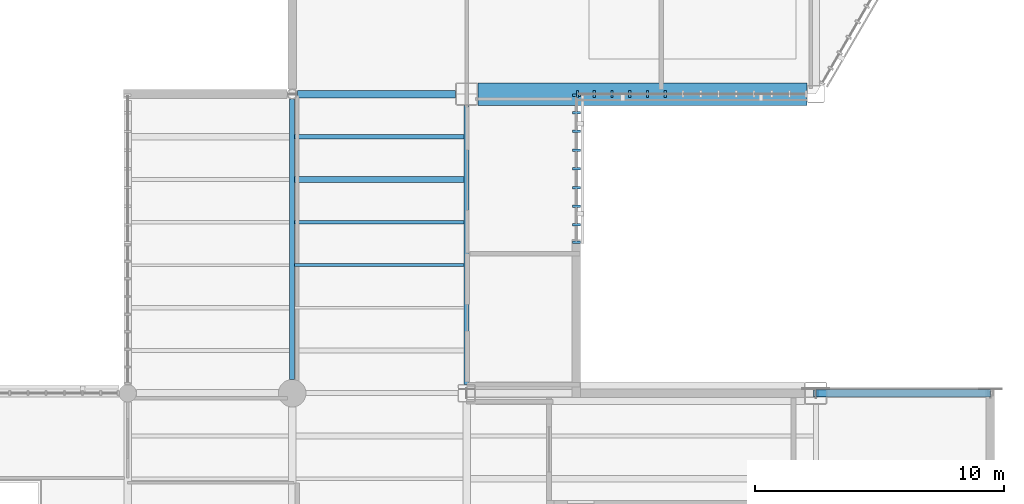
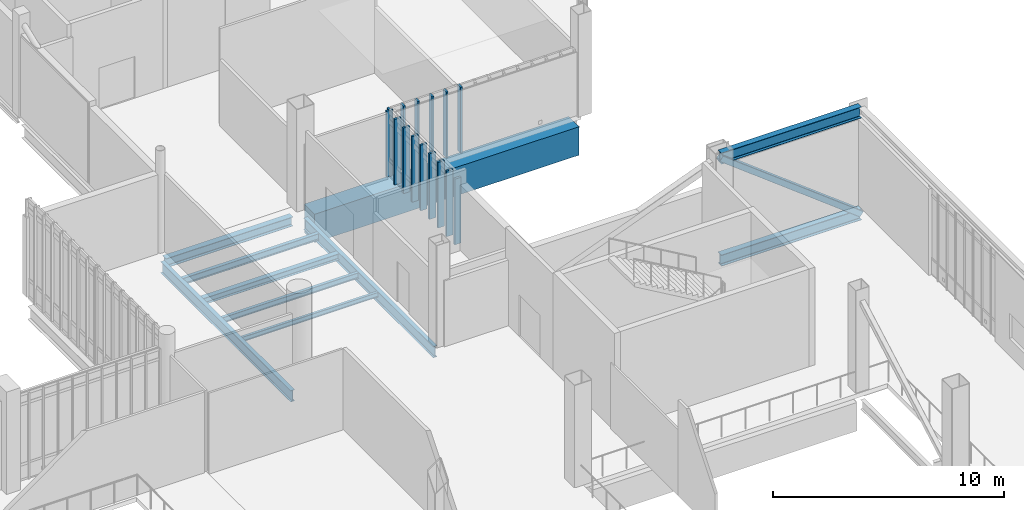
# One storey, part 30 of 127: 16 members, 10 beams, 2 elements without a shape of their own.
"""IFC4 building model written with IfcOpenShell, lengths in metres."""

from ifc_helpers import new_model, si_unit, direction, frame, origin, origin_2d, place, context, subcontext, project, spatial, rectangle, hollow_rectangle, i_section, extrude, material, material_profile, profile_set, type_object, element, aggregate, save


model = new_model("IFC4")

# Units and contexts
model_context = context("Model", 3, precision=1e-05, world=origin(), true_north=direction((0.0, 1.0)))
body_context = subcontext(model_context, "Body", "Model", "MODEL_VIEW")
ifc_project = project(units=[si_unit("LENGTHUNIT", "METRE"), si_unit("AREAUNIT", "SQUARE_METRE"), si_unit("VOLUMEUNIT", "CUBIC_METRE"), si_unit("PLANEANGLEUNIT", "RADIAN"), si_unit("MASSUNIT", "GRAM", prefix="KILO")], contexts=[model_context])

# Site, building, storey
site_placement = place(None, origin())
site = spatial("IfcSite", under=ifc_project, at=site_placement, CompositionType="ELEMENT")
building_placement = place(site_placement, origin())
building = spatial("IfcBuilding", under=site, at=building_placement, Name="Larkvane Passage Sports Hall", CompositionType="ELEMENT")
storey_placement = place(building_placement, frame((0.0, 0.0, 5.39990234375)))
storey = spatial("IfcBuildingStorey", under=building, at=storey_placement, Name="L01", CompositionType="ELEMENT", Elevation=5.39990234375)

# Beams
ifc_material_1 = material(Name="Steel S355JR", Category="steel")
ifc_material_profile_1 = material_profile(ifc_material_1, i_section(OverallWidth=0.300048828125, OverallDepth=0.488037109375, WebThickness=0.010986328125, FlangeThickness=0.01806640625, FilletRadius=0.02197265625, at=origin_2d()), Name="H-488x300x11x18")
ifc_profile_set_1 = profile_set([ifc_material_profile_1], Name="Steel S355JR")
beam_type_1 = type_object("IfcBeamType", Name="BM-STL-H488", PredefinedType="BEAM", material=ifc_profile_set_1)
beam_1_placement = place(storey_placement, frame((124.80322265625, 63.60009765625, -0.663818359375), z_axis=(1.0, 0.0, 0.0), x_axis=(0.0, 1.0, 0.0)))
element("IfcBeam", 1, at=beam_1_placement, inside=storey, type_object=beam_type_1, Name="Girder BM5-X-L01-H-0420", PredefinedType="BEAM", context=body_context, shape_type="SweptSolid", body=[
    extrude(i_section(OverallWidth=0.300048828125, OverallDepth=0.488037109375, WebThickness=0.010986328125, FlangeThickness=0.01806640625, FilletRadius=0.02197265625, at=origin_2d()), origin(), (0.0, 0.0, 1.0), 6.3466796875),
])
ifc_material_2 = material(Name="Steel S460N", Category="steel")
ifc_material_profile_2 = material_profile(ifc_material_2, i_section(OverallWidth=0.300048828125, OverallDepth=0.587890625, WebThickness=0.011962890625, FlangeThickness=0.02001953125, FilletRadius=0.02197265625, at=origin_2d()), Name="H-588x300x12x20")
ifc_profile_set_2 = profile_set([ifc_material_profile_2], Name="Steel S460N")
beam_type_2 = type_object("IfcBeamType", Name="BM-STL-H588", PredefinedType="BEAM", material=ifc_profile_set_2)
for number, where, z_axis, x_axis, name in (
    (2, (145.60009765625, 51.60009765625, -0.52392578125), (1.0, 0.0, 0.0), (0.0, 1.0, 0.0), "Cantilever truss CT-E1A-2 bottom chord 2"),
    (3, (145.60009765625, 51.60009765625, 4.856201171875), (1.0, 0.0, 0.0), (0.0, 1.0, 0.0), "Cantilever truss CT-E1A-2 top chord 2"),
):
    element("IfcBeam", number, at=place(storey_placement, frame(where, z_axis=z_axis, x_axis=x_axis)), inside=storey, type_object=beam_type_2, Name=name, PredefinedType="BEAM", context=body_context, shape_type="SweptSolid", body=[
        extrude(i_section(OverallWidth=0.300048828125, OverallDepth=0.587890625, WebThickness=0.011962890625, FlangeThickness=0.02001953125, FilletRadius=0.02197265625, at=origin_2d()), origin(), (0.0, 0.0, 1.0), 7.0),
    ])
ifc_material_profile_3 = material_profile(ifc_material_1, i_section(OverallWidth=0.199951171875, OverallDepth=0.60009765625, WebThickness=0.010986328125, FlangeThickness=0.01708984375, FilletRadius=0.01806640625, at=origin_2d()), Name="H-600x200x11x17")
ifc_profile_set_3 = profile_set([ifc_material_profile_3], Name="Steel S355JR")
beam_type_3 = type_object("IfcBeamType", Name="BM-STL-H600", PredefinedType="BEAM", material=ifc_profile_set_3)
beam_2_placement = place(storey_placement, frame((124.60009765625, 52.14990234375, -0.719970703125), z_axis=(0.0, 1.0, 0.0), x_axis=(-1.0, 0.0, 0.0)))
element("IfcBeam", 4, at=beam_2_placement, inside=storey, type_object=beam_type_3, Name="Girder BM5-Y-L01-17-0493", PredefinedType="BEAM", context=body_context, shape_type="SweptSolid", body=[
    extrude(i_section(OverallWidth=0.199951171875, OverallDepth=0.60009765625, WebThickness=0.010986328125, FlangeThickness=0.01708984375, FilletRadius=0.01806640625, at=origin_2d()), origin(), (0.0, 0.0, 1.0), 11.246826171875),
])
beam_3_placement = place(storey_placement, frame((131.60009765625, 51.949951171875, -0.719970703125), z_axis=(0.0, 1.0, 0.0), x_axis=(-1.0, 0.0, 0.0)))
element("IfcBeam", 5, at=beam_3_placement, inside=storey, type_object=beam_type_3, Name="Girder BM5-Y-L01-18-0501", PredefinedType="BEAM", context=body_context, shape_type="SweptSolid", body=[
    extrude(i_section(OverallWidth=0.199951171875, OverallDepth=0.60009765625, WebThickness=0.010986328125, FlangeThickness=0.01708984375, FilletRadius=0.01806640625, at=origin_2d()), origin(), (0.0, 0.0, 1.0), 11.199951171875),
])

# Curtain wall, members
ifc_material_3 = material(Name="Thermally broken aluminium and low-E glazing", Category="aluminium")
curtain_wall_type_1 = type_object("IfcCurtainWallType", Name="CW-CLINIC", PredefinedType="USERDEFINED", material=ifc_material_3)
curtain_wall_1_placement = place(storey_placement, origin())
curtain_wall_1 = element("IfcCurtainWall", 6, at=curtain_wall_1_placement, inside=storey, type_object=curtain_wall_type_1, Name="Curtain wall CW5-L01-059", ObjectType="UNITISED CURTAIN WALL", PredefinedType="USERDEFINED")
ifc_material_4 = material(Name="Anodised aluminium 6063-T6", Category="aluminium")
ifc_material_profile_4 = material_profile(ifc_material_4, rectangle(XDim=0.10009765625, YDim=0.320068359375, at=origin_2d()), Name="ALU-MUL-100x320")
ifc_profile_set_4 = profile_set([ifc_material_profile_4], Name="Anodised aluminium 6063-T6")
member_type_1 = type_object("IfcMemberType", Name="CW-MUL-100x320", PredefinedType="MULLION", material=ifc_profile_set_4)
member_1_placement = place(storey_placement, frame((136.0, 63.550048828125, 0.0), z_axis=(0.0, 0.0, 1.0), x_axis=(0.0, -1.0, 0.0)))
member_1 = element("IfcMember", 7, at=member_1_placement, type_object=member_type_1, Name="CW-05 mullion 1", PredefinedType="MULLION", context=body_context, shape_type="SweptSolid", body=[
    extrude(rectangle(XDim=0.10009765625, YDim=0.320068359375, at=origin_2d()), origin(), (0.0, 0.0, 1.0), 3.468017578125),
])
member_2_placement = place(storey_placement, frame((136.0, 62.85009765625, 0.0), z_axis=(0.0, 0.0, 1.0), x_axis=(0.0, -1.0, 0.0)))
member_2 = element("IfcMember", 8, at=member_2_placement, type_object=member_type_1, Name="CW-05 mullion 2", PredefinedType="MULLION", context=body_context, shape_type="SweptSolid", body=[
    extrude(rectangle(XDim=0.10009765625, YDim=0.320068359375, at=origin_2d()), origin(), (0.0, 0.0, 1.0), 3.468017578125),
])
member_3_placement = place(storey_placement, frame((136.0, 62.10009765625, 0.0), z_axis=(0.0, 0.0, 1.0), x_axis=(0.0, -1.0, 0.0)))
member_3 = element("IfcMember", 9, at=member_3_placement, type_object=member_type_1, Name="CW-05 mullion 3", PredefinedType="MULLION", context=body_context, shape_type="SweptSolid", body=[
    extrude(rectangle(XDim=0.10009765625, YDim=0.320068359375, at=origin_2d()), origin(), (0.0, 0.0, 1.0), 3.468017578125),
])
member_4_placement = place(storey_placement, frame((136.0, 61.35009765625, 0.0), z_axis=(0.0, 0.0, 1.0), x_axis=(0.0, -1.0, 0.0)))
member_4 = element("IfcMember", 10, at=member_4_placement, type_object=member_type_1, Name="CW-05 mullion 4", PredefinedType="MULLION", context=body_context, shape_type="SweptSolid", body=[
    extrude(rectangle(XDim=0.10009765625, YDim=0.320068359375, at=origin_2d()), origin(), (0.0, 0.0, 1.0), 3.468017578125),
])
member_5_placement = place(storey_placement, frame((136.0, 60.60009765625, 0.0), z_axis=(0.0, 0.0, 1.0), x_axis=(0.0, -1.0, 0.0)))
member_5 = element("IfcMember", 11, at=member_5_placement, type_object=member_type_1, Name="CW-05 mullion 5", PredefinedType="MULLION", context=body_context, shape_type="SweptSolid", body=[
    extrude(rectangle(XDim=0.10009765625, YDim=0.320068359375, at=origin_2d()), origin(), (0.0, 0.0, 1.0), 3.468017578125),
])
member_6_placement = place(storey_placement, frame((136.0, 59.85009765625, 0.0), z_axis=(0.0, 0.0, 1.0), x_axis=(0.0, -1.0, 0.0)))
member_6 = element("IfcMember", 12, at=member_6_placement, type_object=member_type_1, Name="CW-05 mullion 6", PredefinedType="MULLION", context=body_context, shape_type="SweptSolid", body=[
    extrude(rectangle(XDim=0.10009765625, YDim=0.320068359375, at=origin_2d()), origin(), (0.0, 0.0, 1.0), 3.468017578125),
])
member_7_placement = place(storey_placement, frame((136.0, 59.10009765625, 0.0), z_axis=(0.0, 0.0, 1.0), x_axis=(0.0, -1.0, 0.0)))
member_7 = element("IfcMember", 13, at=member_7_placement, type_object=member_type_1, Name="CW-05 mullion 7", PredefinedType="MULLION", context=body_context, shape_type="SweptSolid", body=[
    extrude(rectangle(XDim=0.10009765625, YDim=0.320068359375, at=origin_2d()), origin(), (0.0, 0.0, 1.0), 3.468017578125),
])
member_8_placement = place(storey_placement, frame((136.0, 58.35009765625, 0.0), z_axis=(0.0, 0.0, 1.0), x_axis=(0.0, -1.0, 0.0)))
member_8 = element("IfcMember", 14, at=member_8_placement, type_object=member_type_1, Name="CW-05 mullion 8", PredefinedType="MULLION", context=body_context, shape_type="SweptSolid", body=[
    extrude(rectangle(XDim=0.10009765625, YDim=0.320068359375, at=origin_2d()), origin(), (0.0, 0.0, 1.0), 3.468017578125),
])
member_9_placement = place(storey_placement, frame((136.0, 57.64990234375, 0.0), z_axis=(0.0, 0.0, 1.0), x_axis=(0.0, -1.0, 0.0)))
member_9 = element("IfcMember", 15, at=member_9_placement, type_object=member_type_1, Name="CW-05 mullion 9", PredefinedType="MULLION", context=body_context, shape_type="SweptSolid", body=[
    extrude(rectangle(XDim=0.10009765625, YDim=0.320068359375, at=origin_2d()), origin(), (0.0, 0.0, 1.0), 3.468017578125),
])
aggregate(curtain_wall_1, [member_1, member_2, member_3, member_4, member_5, member_6, member_7, member_8, member_9])

curtain_wall_type_2 = type_object("IfcCurtainWallType", Name="CW-STICK-FOYER", PredefinedType="USERDEFINED", material=ifc_material_3)
curtain_wall_2_placement = place(storey_placement, origin())
curtain_wall_2 = element("IfcCurtainWall", 16, at=curtain_wall_2_placement, inside=storey, type_object=curtain_wall_type_2, Name="Curtain wall CW5-L01-058", ObjectType="STICK CURTAIN WALL", PredefinedType="USERDEFINED")
ifc_material_profile_5 = material_profile(ifc_material_4, rectangle(XDim=0.090087890625, YDim=0.280029296875, at=origin_2d()), Name="ALU-MUL-90x280")
ifc_profile_set_5 = profile_set([ifc_material_profile_5], Name="Anodised aluminium 6063-T6")
member_type_2 = type_object("IfcMemberType", Name="CW-MUL-90x280", PredefinedType="MULLION", material=ifc_profile_set_5)
member_10_placement = place(storey_placement, frame((139.559326171875, 63.60009765625, 0.0), z_axis=(0.0, 0.0, 1.0), x_axis=(-1.0, 0.0, 0.0)))
member_10 = element("IfcMember", 17, at=member_10_placement, type_object=member_type_2, Name="CW-03 mullion 9", PredefinedType="MULLION", context=body_context, shape_type="SweptSolid", body=[
    extrude(rectangle(XDim=0.090087890625, YDim=0.280029296875, at=origin_2d()), origin(), (0.0, 0.0, 1.0), 3.468017578125),
])
member_11_placement = place(storey_placement, frame((138.847412109375, 63.60009765625, 0.0), z_axis=(0.0, 0.0, 1.0), x_axis=(-1.0, 0.0, 0.0)))
member_11 = element("IfcMember", 18, at=member_11_placement, type_object=member_type_2, Name="CW-03 mullion 10", PredefinedType="MULLION", context=body_context, shape_type="SweptSolid", body=[
    extrude(rectangle(XDim=0.090087890625, YDim=0.280029296875, at=origin_2d()), origin(), (0.0, 0.0, 1.0), 3.468017578125),
])
member_12_placement = place(storey_placement, frame((138.135498046875, 63.60009765625, 0.0), z_axis=(0.0, 0.0, 1.0), x_axis=(-1.0, 0.0, 0.0)))
member_12 = element("IfcMember", 19, at=member_12_placement, type_object=member_type_2, Name="CW-03 mullion 11", PredefinedType="MULLION", context=body_context, shape_type="SweptSolid", body=[
    extrude(rectangle(XDim=0.090087890625, YDim=0.280029296875, at=origin_2d()), origin(), (0.0, 0.0, 1.0), 3.468017578125),
])
member_13_placement = place(storey_placement, frame((137.423583984375, 63.60009765625, 0.0), z_axis=(0.0, 0.0, 1.0), x_axis=(-1.0, 0.0, 0.0)))
member_13 = element("IfcMember", 20, at=member_13_placement, type_object=member_type_2, Name="CW-03 mullion 12", PredefinedType="MULLION", context=body_context, shape_type="SweptSolid", body=[
    extrude(rectangle(XDim=0.090087890625, YDim=0.280029296875, at=origin_2d()), origin(), (0.0, 0.0, 1.0), 3.468017578125),
])
member_14_placement = place(storey_placement, frame((136.7119140625, 63.60009765625, 0.0), z_axis=(0.0, 0.0, 1.0), x_axis=(-1.0, 0.0, 0.0)))
member_14 = element("IfcMember", 21, at=member_14_placement, type_object=member_type_2, Name="CW-03 mullion 13", PredefinedType="MULLION", context=body_context, shape_type="SweptSolid", body=[
    extrude(rectangle(XDim=0.090087890625, YDim=0.280029296875, at=origin_2d()), origin(), (0.0, 0.0, 1.0), 3.468017578125),
])
member_15_placement = place(storey_placement, frame((136.044921875, 63.60009765625, 0.0), z_axis=(0.0, 0.0, 1.0), x_axis=(-1.0, 0.0, 0.0)))
member_15 = element("IfcMember", 22, at=member_15_placement, type_object=member_type_2, Name="CW-03 mullion 14", PredefinedType="MULLION", context=body_context, shape_type="SweptSolid", body=[
    extrude(rectangle(XDim=0.090087890625, YDim=0.280029296875, at=origin_2d()), origin(), (0.0, 0.0, 1.0), 3.468017578125),
])
aggregate(curtain_wall_2, [member_10, member_11, member_12, member_13, member_14, member_15])

# Beams
ifc_material_profile_6 = material_profile(ifc_material_1, i_section(OverallWidth=0.125, OverallDepth=0.25, WebThickness=0.006103515625, FlangeThickness=0.009033203125, FilletRadius=0.008056640625, at=origin_2d()), Name="H-250x125x6x9")
ifc_profile_set_6 = profile_set([ifc_material_profile_6], Name="Steel S355JR")
beam_type_4 = type_object("IfcBeamType", Name="JST-STL-H250", PredefinedType="JOIST", material=ifc_profile_set_6)
beam_4_placement = place(storey_placement, frame((124.699951171875, 56.742919921875, -0.544921875), z_axis=(1.0, 0.0, 0.0), x_axis=(0.0, 1.0, 0.0)))
element("IfcBeam", 23, at=beam_4_placement, inside=storey, type_object=beam_type_4, Name="Composite joist L01 17/G-3", PredefinedType="JOIST", context=body_context, shape_type="SweptSolid", body=[
    extrude(i_section(OverallWidth=0.125, OverallDepth=0.25, WebThickness=0.006103515625, FlangeThickness=0.009033203125, FilletRadius=0.008056640625, at=origin_2d()), origin(), (0.0, 0.0, 1.0), 6.800048828125),
])
ifc_material_profile_7 = material_profile(ifc_material_1, i_section(OverallWidth=0.14990234375, OverallDepth=0.300048828125, WebThickness=0.006591796875, FlangeThickness=0.009033203125, FilletRadius=0.012939453125, at=origin_2d()), Name="H-300x150x6.5x9")
ifc_profile_set_7 = profile_set([ifc_material_profile_7], Name="Steel S355JR")
beam_type_5 = type_object("IfcBeamType", Name="JST-STL-H300", PredefinedType="JOIST", material=ifc_profile_set_7)
beam_5_placement = place(storey_placement, frame((124.699951171875, 58.45703125, -0.56982421875), z_axis=(1.0, 0.0, 0.0), x_axis=(0.0, 1.0, 0.0)))
element("IfcBeam", 24, at=beam_5_placement, inside=storey, type_object=beam_type_5, Name="Composite joist L01 17/G-4", PredefinedType="JOIST", context=body_context, shape_type="SweptSolid", body=[
    extrude(i_section(OverallWidth=0.14990234375, OverallDepth=0.300048828125, WebThickness=0.006591796875, FlangeThickness=0.009033203125, FilletRadius=0.012939453125, at=origin_2d()), origin(), (0.0, 0.0, 1.0), 6.800048828125),
])
ifc_material_profile_8 = material_profile(ifc_material_1, i_section(OverallWidth=0.25, OverallDepth=0.340087890625, WebThickness=0.009033203125, FlangeThickness=0.013916015625, FilletRadius=0.012939453125, at=origin_2d()), Name="H-340x250x9x14")
ifc_profile_set_8 = profile_set([ifc_material_profile_8], Name="Steel S355JR")
beam_type_6 = type_object("IfcBeamType", Name="JST-STL-H340", PredefinedType="JOIST", material=ifc_profile_set_8)
beam_6_placement = place(storey_placement, frame((124.699951171875, 60.17138671875, -0.58984375), z_axis=(1.0, 0.0, 0.0), x_axis=(0.0, 1.0, 0.0)))
element("IfcBeam", 25, at=beam_6_placement, inside=storey, type_object=beam_type_6, Name="Composite joist L01 17/G-5", PredefinedType="JOIST", context=body_context, shape_type="SweptSolid", body=[
    extrude(i_section(OverallWidth=0.25, OverallDepth=0.340087890625, WebThickness=0.009033203125, FlangeThickness=0.013916015625, FilletRadius=0.012939453125, at=origin_2d()), origin(), (0.0, 0.0, 1.0), 6.800048828125),
])
ifc_material_profile_9 = material_profile(ifc_material_1, i_section(OverallWidth=0.175048828125, OverallDepth=0.35009765625, WebThickness=0.007080078125, FlangeThickness=0.010986328125, FilletRadius=0.012939453125, at=origin_2d()), Name="H-350x175x7x11")
ifc_profile_set_9 = profile_set([ifc_material_profile_9], Name="Steel S355JR")
beam_type_7 = type_object("IfcBeamType", Name="JST-STL-H350", PredefinedType="JOIST", material=ifc_profile_set_9)
beam_7_placement = place(storey_placement, frame((124.699951171875, 61.8857421875, -0.594970703125), z_axis=(1.0, 0.0, 0.0), x_axis=(0.0, 1.0, 0.0)))
element("IfcBeam", 26, at=beam_7_placement, inside=storey, type_object=beam_type_7, Name="Composite joist L01 17/G-6", PredefinedType="JOIST", context=body_context, shape_type="SweptSolid", body=[
    extrude(i_section(OverallWidth=0.175048828125, OverallDepth=0.35009765625, WebThickness=0.007080078125, FlangeThickness=0.010986328125, FilletRadius=0.012939453125, at=origin_2d()), origin(), (0.0, 0.0, 1.0), 6.800048828125),
])

# Member
ifc_material_profile_10 = material_profile(ifc_material_2, hollow_rectangle(XDim=0.300048828125, YDim=0.300048828125, WallThickness=0.011962890625, InnerFilletRadius=0.011962890625, OuterFilletRadius=0.02392578125, at=origin_2d()), Name="SHS-300x300x12")
ifc_profile_set_10 = profile_set([ifc_material_profile_10], Name="Steel S460N")
member_type_3 = type_object("IfcMemberType", Name="MBR-BR-SHS300", PredefinedType="BRACE", material=ifc_profile_set_10)
member_16_placement = place(storey_placement, frame((145.60009765625, 51.60009765625, 4.856201171875), z_axis=(0.792869615842, 0.0, -0.60939131293), x_axis=(0.0, 1.0, 0.0)))
element("IfcMember", 27, at=member_16_placement, inside=storey, type_object=member_type_3, Name="Cantilever truss CT-E1A-2 web diagonal 2", PredefinedType="BRACE", context=body_context, shape_type="SweptSolid", body=[
    extrude(hollow_rectangle(XDim=0.300048828125, YDim=0.300048828125, WallThickness=0.011962890625, InnerFilletRadius=0.011962890625, OuterFilletRadius=0.02392578125, at=origin_2d()), origin(), (0.0, 0.0, 1.0), 8.82861328125),
])

# Beam
ifc_material_5 = material(Name="Concrete C50/60", Category="concrete")
ifc_material_profile_11 = material_profile(ifc_material_5, rectangle(XDim=0.89990234375, YDim=1.5, at=origin_2d()), Name="PT-GIR-900x1500")
ifc_profile_set_11 = profile_set([ifc_material_profile_11], Name="Concrete C50/60")
beam_type_8 = type_object("IfcBeamType", Name="PTG-900x1500", PredefinedType="BEAM", material=ifc_profile_set_11)
beam_8_placement = place(storey_placement, frame((132.050048828125, 63.60009765625, -1.169921875), z_axis=(1.0, 0.0, 0.0), x_axis=(0.0, 1.0, 0.0)))
element("IfcBeam", 28, at=beam_8_placement, inside=storey, type_object=beam_type_8, Name="Post-tensioned transfer girder BM5-X-L01-H-0421", PredefinedType="BEAM", context=body_context, shape_type="SweptSolid", body=[
    extrude(rectangle(XDim=0.89990234375, YDim=1.5, at=origin_2d()), origin(), (0.0, 0.0, 1.0), 13.199951171875),
])

save(model, "model.ifc")
